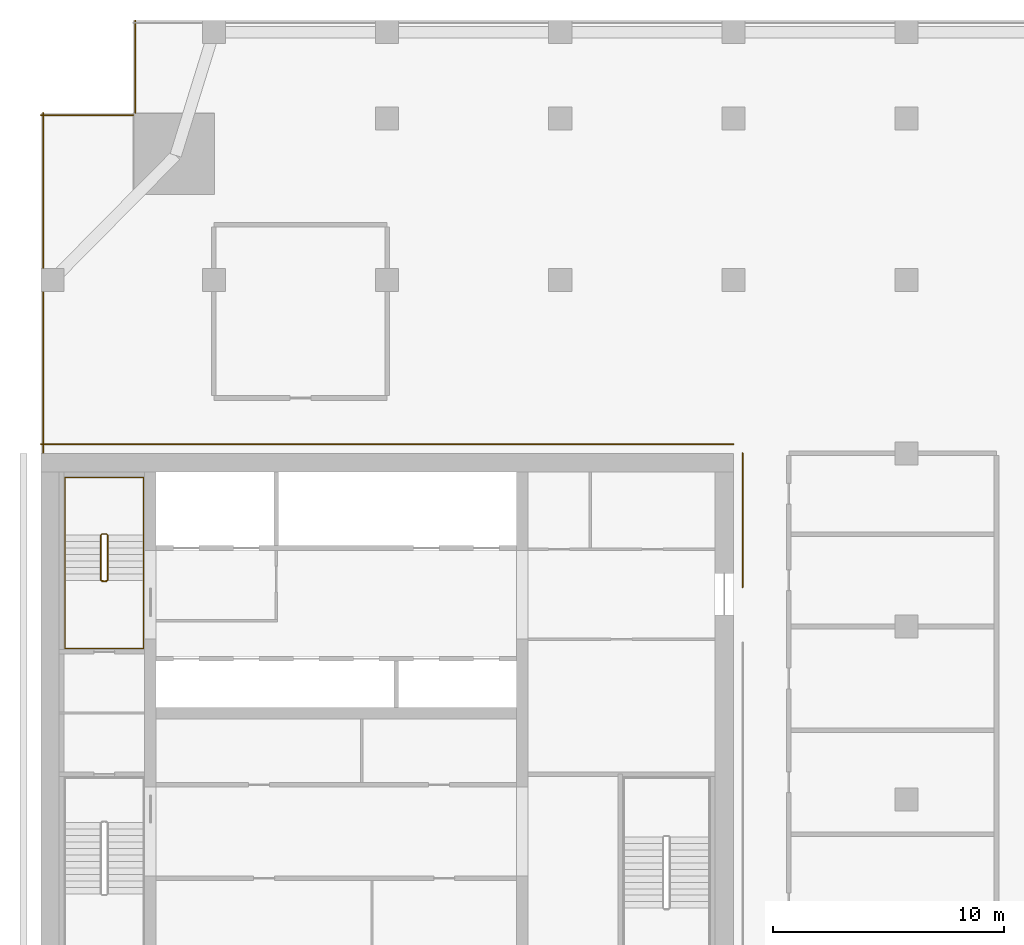
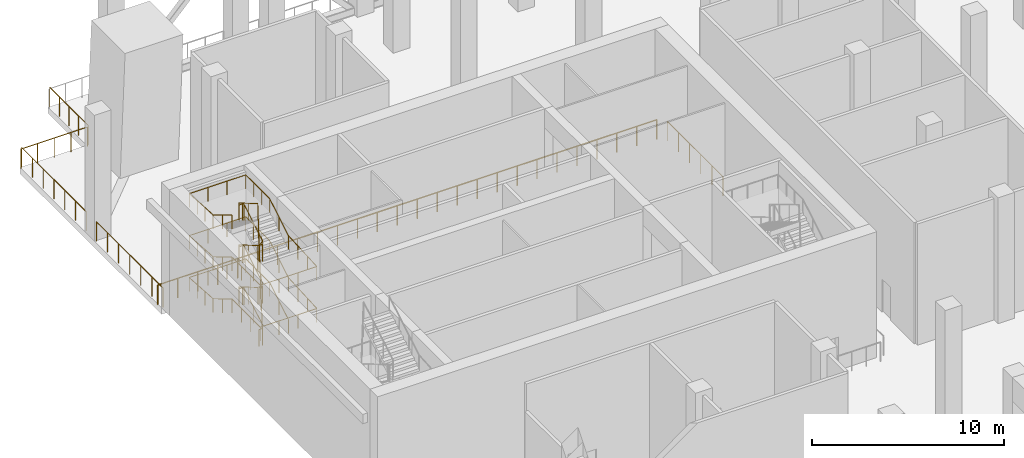
# One storey, part 11 of 12: 8 railings.
"""IFC4 building model written with IfcOpenShell, lengths in metres."""

from ifc_helpers import new_model, si_unit, direction, frame, origin, origin_2d, place, context, subcontext, project, spatial, circle, extrude, material, type_object, element, save


model = new_model("IFC4")

# Units and contexts
model_context = context("Model", 3, precision=1e-05, world=origin(), true_north=direction((0.0, 1.0)))
body_context = subcontext(model_context, "Body", "Model", "MODEL_VIEW")
ifc_project = project(units=[si_unit("LENGTHUNIT", "METRE"), si_unit("AREAUNIT", "SQUARE_METRE"), si_unit("VOLUMEUNIT", "CUBIC_METRE"), si_unit("PLANEANGLEUNIT", "RADIAN"), si_unit("MASSUNIT", "GRAM", prefix="KILO")], contexts=[model_context])

# Site, building, storey
site_placement = place(None, origin())
site = spatial("IfcSite", under=ifc_project, at=site_placement, CompositionType="ELEMENT")
building_placement = place(site_placement, origin())
building = spatial("IfcBuilding", under=site, at=building_placement, Name="Tamorin Gate", CompositionType="ELEMENT")
storey_placement = place(building_placement, frame((0.0, 0.0, 166.199951171875)))
storey = spatial("IfcBuildingStorey", under=building, at=storey_placement, Name="L41", CompositionType="ELEMENT", Elevation=166.199951171875)

# Railings
ifc_material_1 = material(Name="Painted steel balustrade", Category="steel")
railing_type_1 = type_object("IfcRailingType", Name="Stair guard 1100", PredefinedType="GUARDRAIL", material=ifc_material_1)
railing_1_placement = place(storey_placement, frame((32.89990234375, 77.0, 0.166748046875)))
element("IfcRailing", 1, at=railing_1_placement, inside=storey, type_object=railing_type_1, Name="L41 ST2 stair guard 1", PredefinedType="GUARDRAIL", context=body_context, shape_type="SweptSolid", body=[
    extrude(circle(Radius=0.02392578125, at=origin_2d()), frame((0.0, 0.0, 1.076171875), z_axis=(0.0, 0.859272722373, 0.511517730471), x_axis=(-1.0, 0.0, 0.0)), (0.0, 0.0, 1.0), 2.281005859375),
    extrude(circle(Radius=0.02392578125, at=origin_2d()), frame((0.0, 1.9599609375, 2.24267578125), z_axis=(-0.705375805398, 0.708833529934, 0.0), x_axis=(-0.708833529934, -0.705375805398, 0.0)), (0.0, 0.0, 1.0), 0.070556640625),
    extrude(circle(Radius=0.02392578125, at=origin_2d()), frame((-0.0498046875, 2.010009765625, 2.24267578125), z_axis=(-1.0, 0.0, 0.0), x_axis=(0.0, -1.0, 0.0)), (0.0, 0.0, 1.0), 0.2001953125),
    extrude(circle(Radius=0.02392578125, at=origin_2d()), frame((-0.25, 2.010009765625, 2.24267578125), z_axis=(-0.275382897532, -0.276732813696, 0.920642824102), x_axis=(0.708833529934, -0.705375805398, 0.0)), (0.0, 0.0, 1.0), 0.180908203125),
    extrude(circle(Radius=0.02392578125, at=origin_2d()), frame((-0.2998046875, 1.9599609375, 2.4091796875), z_axis=(0.0, -0.859272722373, 0.511517730471), x_axis=(1.0, 0.0, 0.0)), (0.0, 0.0, 1.0), 2.281005859375),
    extrude(circle(Radius=0.02392578125, at=origin_2d()), frame((-0.2998046875, 0.0, 3.576171875), z_axis=(0.98054382908, -0.196300278283, 0.0), x_axis=(0.196300278283, 0.98054382908, 0.0)), (0.0, 0.0, 1.0), 0.2548828125),
    extrude(circle(Radius=0.02392578125, at=origin_2d()), frame((-0.0498046875, -0.050048828125, 3.576171875), z_axis=(-1.0, 0.0, 0.0), x_axis=(0.0, -1.0, 0.0)), (0.0, 0.0, 1.0), 0.2001953125),
    extrude(circle(Radius=0.02392578125, at=origin_2d()), frame((-0.25, -0.050048828125, 3.576171875), z_axis=(0.820621892478, 0.164284656209, 0.547348391174), x_axis=(-0.196300278283, 0.98054382908, 0.0)), (0.0, 0.0, 1.0), 0.3046875),
    extrude(circle(Radius=0.02392578125, at=origin_2d()), frame((0.0, 0.0, 3.74267578125), z_axis=(0.0, 0.85931976652, 0.511438695121), x_axis=(-1.0, 0.0, 0.0)), (0.0, 0.0, 1.0), 2.28076171875),
    extrude(circle(Radius=0.02392578125, at=origin_2d()), frame((0.0, 1.9599609375, 4.9091796875), z_axis=(-0.705375805398, 0.708833529934, 0.0), x_axis=(-0.708833529934, -0.705375805398, 0.0)), (0.0, 0.0, 1.0), 0.070556640625),
    extrude(circle(Radius=0.02392578125, at=origin_2d()), frame((-0.0498046875, 2.010009765625, 4.9091796875), z_axis=(-1.0, 0.0, 0.0), x_axis=(0.0, -1.0, 0.0)), (0.0, 0.0, 1.0), 0.2001953125),
    extrude(circle(Radius=0.02392578125, at=origin_2d()), frame((-0.25, 2.010009765625, 4.9091796875), z_axis=(-0.275041040955, -0.276389281352, 0.920848191041), x_axis=(0.708833529934, -0.705375805398, 0.0)), (0.0, 0.0, 1.0), 0.18115234375),
    extrude(circle(Radius=0.02392578125, at=origin_2d()), frame((-0.2998046875, 1.9599609375, 5.076171875), z_axis=(0.0, -0.859272722373, 0.511517730471), x_axis=(1.0, 0.0, 0.0)), (0.0, 0.0, 1.0), 2.281005859375),
    extrude(circle(Radius=0.02392578125, at=origin_2d()), frame((-0.2998046875, 0.0, 6.24267578125), z_axis=(0.98054382908, -0.196300278283, 0.0), x_axis=(0.196300278283, 0.98054382908, 0.0)), (0.0, 0.0, 1.0), 0.2548828125),
    extrude(circle(Radius=0.02392578125, at=origin_2d()), frame((-0.0498046875, -0.050048828125, 6.24267578125), z_axis=(-1.0, 0.0, 0.0), x_axis=(0.0, -1.0, 0.0)), (0.0, 0.0, 1.0), 0.2001953125),
    extrude(circle(Radius=0.02392578125, at=origin_2d()), frame((-0.25, -0.050048828125, 6.24267578125), z_axis=(0.820981822184, 0.164356712449, 0.546786721416), x_axis=(-0.196300278283, 0.98054382908, 0.0)), (0.0, 0.0, 1.0), 0.304443359375),
    extrude(circle(Radius=0.02392578125, at=origin_2d()), frame((0.0, 0.0, 6.4091796875), z_axis=(0.0, 0.859272722373, 0.511517730471), x_axis=(-1.0, 0.0, 0.0)), (0.0, 0.0, 1.0), 2.281005859375),
    extrude(circle(Radius=0.02392578125, at=origin_2d()), frame((0.0, 1.9599609375, 7.576171875), z_axis=(-0.705375805398, 0.708833529934, 0.0), x_axis=(-0.708833529934, -0.705375805398, 0.0)), (0.0, 0.0, 1.0), 0.070556640625),
    extrude(circle(Radius=0.02392578125, at=origin_2d()), frame((-0.0498046875, 2.010009765625, 7.576171875), z_axis=(-1.0, 0.0, 0.0), x_axis=(0.0, -1.0, 0.0)), (0.0, 0.0, 1.0), 0.2001953125),
    extrude(circle(Radius=0.02392578125, at=origin_2d()), frame((-0.25, 2.010009765625, 7.576171875), z_axis=(-0.275041040955, -0.276389281352, 0.920848191041), x_axis=(0.708833529934, -0.705375805398, 0.0)), (0.0, 0.0, 1.0), 0.18115234375),
    extrude(circle(Radius=0.02392578125, at=origin_2d()), frame((-0.2998046875, 1.9599609375, 7.74267578125), z_axis=(0.0, -0.85931976652, 0.511438695121), x_axis=(1.0, 0.0, 0.0)), (0.0, 0.0, 1.0), 2.28076171875),
    extrude(circle(Radius=0.02392578125, at=origin_2d()), frame((-0.2998046875, 0.0, 8.9091796875), z_axis=(0.031234141746, -0.006252928768, -0.999492535876), x_axis=(0.196300278283, 0.98054382908, 0.0)), (0.0, 0.0, 1.0), 8.004150390625),
    extrude(circle(Radius=0.02392578125, at=origin_2d()), frame((-0.0498046875, -0.050048828125, 0.9091796875), z_axis=(-1.0, 0.0, 0.0), x_axis=(0.0, -1.0, 0.0)), (0.0, 0.0, 1.0), 0.2001953125),
    extrude(circle(Radius=0.02099609375, at=origin_2d()), origin(), (0.0, 0.0, 1.0), 1.052001953125),
    extrude(circle(Radius=0.02099609375, at=origin_2d()), frame((0.0, 0.97998046875, 0.58349609375)), (0.0, 0.0, 1.0), 1.052001953125),
    extrude(circle(Radius=0.02099609375, at=origin_2d()), frame((0.0, 1.9599609375, 1.166748046875)), (0.0, 0.0, 1.0), 1.052001953125),
    extrude(circle(Radius=0.02099609375, at=origin_2d()), frame((-0.0498046875, 2.010009765625, 1.166748046875)), (0.0, 0.0, 1.0), 1.052001953125),
    extrude(circle(Radius=0.02099609375, at=origin_2d()), frame((-0.25, 2.010009765625, 1.166748046875)), (0.0, 0.0, 1.0), 1.052001953125),
    extrude(circle(Radius=0.02099609375, at=origin_2d()), frame((-0.2998046875, 1.9599609375, 1.333251953125)), (0.0, 0.0, 1.0), 1.052001953125),
    extrude(circle(Radius=0.02099609375, at=origin_2d()), frame((-0.2998046875, 0.97998046875, 1.91650390625)), (0.0, 0.0, 1.0), 1.052001953125),
    extrude(circle(Radius=0.02099609375, at=origin_2d()), frame((-0.2998046875, 0.0, 2.5)), (0.0, 0.0, 1.0), 1.052001953125),
    extrude(circle(Radius=0.02099609375, at=origin_2d()), frame((-0.0498046875, -0.050048828125, 2.5)), (0.0, 0.0, 1.0), 1.052001953125),
    extrude(circle(Radius=0.02099609375, at=origin_2d()), frame((-0.25, -0.050048828125, 2.5)), (0.0, 0.0, 1.0), 1.052001953125),
    extrude(circle(Radius=0.02099609375, at=origin_2d()), frame((0.0, 0.0, 2.666748046875)), (0.0, 0.0, 1.0), 1.052001953125),
    extrude(circle(Radius=0.02099609375, at=origin_2d()), frame((0.0, 0.97998046875, 3.25)), (0.0, 0.0, 1.0), 1.052001953125),
    extrude(circle(Radius=0.02099609375, at=origin_2d()), frame((0.0, 1.9599609375, 3.833251953125)), (0.0, 0.0, 1.0), 1.052001953125),
    extrude(circle(Radius=0.02099609375, at=origin_2d()), frame((-0.0498046875, 2.010009765625, 3.833251953125)), (0.0, 0.0, 1.0), 1.052001953125),
    extrude(circle(Radius=0.02099609375, at=origin_2d()), frame((-0.25, 2.010009765625, 3.833251953125)), (0.0, 0.0, 1.0), 1.052001953125),
    extrude(circle(Radius=0.02099609375, at=origin_2d()), frame((-0.2998046875, 1.9599609375, 4.0)), (0.0, 0.0, 1.0), 1.052001953125),
    extrude(circle(Radius=0.02099609375, at=origin_2d()), frame((-0.2998046875, 0.97998046875, 4.58349609375)), (0.0, 0.0, 1.0), 1.052001953125),
    extrude(circle(Radius=0.02099609375, at=origin_2d()), frame((-0.2998046875, 0.0, 5.166748046875)), (0.0, 0.0, 1.0), 1.052001953125),
    extrude(circle(Radius=0.02099609375, at=origin_2d()), frame((-0.0498046875, -0.050048828125, 5.166748046875)), (0.0, 0.0, 1.0), 1.052001953125),
    extrude(circle(Radius=0.02099609375, at=origin_2d()), frame((-0.25, -0.050048828125, 5.166748046875)), (0.0, 0.0, 1.0), 1.052001953125),
    extrude(circle(Radius=0.02099609375, at=origin_2d()), frame((0.0, 0.0, 5.333251953125)), (0.0, 0.0, 1.0), 1.052001953125),
    extrude(circle(Radius=0.02099609375, at=origin_2d()), frame((0.0, 0.97998046875, 5.91650390625)), (0.0, 0.0, 1.0), 1.052001953125),
    extrude(circle(Radius=0.02099609375, at=origin_2d()), frame((0.0, 1.9599609375, 6.5)), (0.0, 0.0, 1.0), 1.052001953125),
    extrude(circle(Radius=0.02099609375, at=origin_2d()), frame((-0.0498046875, 2.010009765625, 6.5)), (0.0, 0.0, 1.0), 1.052001953125),
    extrude(circle(Radius=0.02099609375, at=origin_2d()), frame((-0.25, 2.010009765625, 6.5)), (0.0, 0.0, 1.0), 1.052001953125),
    extrude(circle(Radius=0.02099609375, at=origin_2d()), frame((-0.2998046875, 1.9599609375, 6.666748046875)), (0.0, 0.0, 1.0), 1.052001953125),
    extrude(circle(Radius=0.02099609375, at=origin_2d()), frame((-0.2998046875, 0.97998046875, 7.25)), (0.0, 0.0, 1.0), 1.052001953125),
    extrude(circle(Radius=0.02099609375, at=origin_2d()), frame((-0.2998046875, 0.0, 7.833251953125)), (0.0, 0.0, 1.0), 1.052001953125),
    extrude(circle(Radius=0.02099609375, at=origin_2d()), frame((-0.26416015625, -0.007080078125, 6.6904296875)), (0.0, 0.0, 1.0), 1.052001953125),
    extrude(circle(Radius=0.02099609375, at=origin_2d()), frame((-0.228271484375, -0.014404296875, 5.547607421875)), (0.0, 0.0, 1.0), 1.052001953125),
    extrude(circle(Radius=0.02099609375, at=origin_2d()), frame((-0.192626953125, -0.021484375, 4.40478515625)), (0.0, 0.0, 1.0), 1.052001953125),
    extrude(circle(Radius=0.02099609375, at=origin_2d()), frame((-0.156982421875, -0.028564453125, 3.26171875)), (0.0, 0.0, 1.0), 1.052001953125),
    extrude(circle(Radius=0.02099609375, at=origin_2d()), frame((-0.121337890625, -0.03564453125, 2.118896484375)), (0.0, 0.0, 1.0), 1.052001953125),
    extrude(circle(Radius=0.02099609375, at=origin_2d()), frame((-0.08544921875, -0.04296875, 0.97607421875)), (0.0, 0.0, 1.0), 1.052001953125),
    extrude(circle(Radius=0.02099609375, at=origin_2d()), frame((-0.0498046875, -0.050048828125, -0.166748046875)), (0.0, 0.0, 1.0), 1.052001953125),
    extrude(circle(Radius=0.02099609375, at=origin_2d()), frame((-0.25, -0.050048828125, -0.166748046875)), (0.0, 0.0, 1.0), 1.052001953125),
])
ifc_material_2 = material(Name="Painted steel handrail", Category="steel")
railing_type_2 = type_object("IfcRailingType", Name="Stair handrail 900", PredefinedType="HANDRAIL", material=ifc_material_2)
railing_2_placement = place(storey_placement, frame((34.449951171875, 77.0, 0.166748046875)))
element("IfcRailing", 2, at=railing_2_placement, inside=storey, type_object=railing_type_2, Name="L41 ST2 stair handrail 1", PredefinedType="HANDRAIL", context=body_context, shape_type="SweptSolid", body=[
    extrude(circle(Radius=0.02392578125, at=origin_2d()), frame((0.0, 0.0, 0.8759765625), z_axis=(0.0, 0.859272722373, 0.511517730471), x_axis=(-1.0, 0.0, 0.0)), (0.0, 0.0, 1.0), 2.281005859375),
    extrude(circle(Radius=0.02392578125, at=origin_2d()), frame((0.0, 1.9599609375, 2.04248046875), z_axis=(0.0, 1.0, 0.0), x_axis=(-1.0, 0.0, 0.0)), (0.0, 0.0, 1.0), 2.489990234375),
    extrude(circle(Radius=0.02392578125, at=origin_2d()), frame((0.0, 4.449951171875, 2.04248046875), z_axis=(-1.0, 0.0, 0.0), x_axis=(0.0, -1.0, 0.0)), (0.0, 0.0, 1.0), 3.39990234375),
    extrude(circle(Radius=0.02392578125, at=origin_2d()), frame((-3.39990234375, 4.449951171875, 2.04248046875), z_axis=(0.0, -0.997771718346, 0.066720297275), x_axis=(1.0, 0.0, 0.0)), (0.0, 0.0, 1.0), 2.49560546875),
    extrude(circle(Radius=0.02392578125, at=origin_2d()), frame((-3.39990234375, 1.9599609375, 2.208984375), z_axis=(0.0, -0.859272722373, 0.511517730471), x_axis=(1.0, 0.0, 0.0)), (0.0, 0.0, 1.0), 2.281005859375),
    extrude(circle(Radius=0.02392578125, at=origin_2d()), frame((-3.39990234375, 0.0, 3.3759765625), z_axis=(0.0, -1.0, 0.0), x_axis=(1.0, 0.0, 0.0)), (0.0, 0.0, 1.0), 2.949951171875),
    extrude(circle(Radius=0.02392578125, at=origin_2d()), frame((-3.39990234375, -2.949951171875, 3.3759765625), z_axis=(1.0, 0.0, 0.0), x_axis=(0.0, 1.0, 0.0)), (0.0, 0.0, 1.0), 3.39990234375),
    extrude(circle(Radius=0.02392578125, at=origin_2d()), frame((0.0, -2.949951171875, 3.3759765625), z_axis=(0.0, 0.998406240989, 0.056435608921), x_axis=(-1.0, 0.0, 0.0)), (0.0, 0.0, 1.0), 2.95458984375),
    extrude(circle(Radius=0.02392578125, at=origin_2d()), frame((0.0, 0.0, 3.54248046875), z_axis=(0.0, 0.85931976652, 0.511438695121), x_axis=(-1.0, 0.0, 0.0)), (0.0, 0.0, 1.0), 2.28076171875),
    extrude(circle(Radius=0.02392578125, at=origin_2d()), frame((0.0, 1.9599609375, 4.708984375), z_axis=(0.0, 1.0, 0.0), x_axis=(-1.0, 0.0, 0.0)), (0.0, 0.0, 1.0), 2.489990234375),
    extrude(circle(Radius=0.02392578125, at=origin_2d()), frame((0.0, 4.449951171875, 4.708984375), z_axis=(-1.0, 0.0, 0.0), x_axis=(0.0, -1.0, 0.0)), (0.0, 0.0, 1.0), 3.39990234375),
    extrude(circle(Radius=0.02392578125, at=origin_2d()), frame((-3.39990234375, 4.449951171875, 4.708984375), z_axis=(0.0, -0.99776520091, 0.066817691168), x_axis=(1.0, 0.0, 0.0)), (0.0, 0.0, 1.0), 2.49560546875),
    extrude(circle(Radius=0.02392578125, at=origin_2d()), frame((-3.39990234375, 1.9599609375, 4.8759765625), z_axis=(0.0, -0.859272722373, 0.511517730471), x_axis=(1.0, 0.0, 0.0)), (0.0, 0.0, 1.0), 2.281005859375),
    extrude(circle(Radius=0.02392578125, at=origin_2d()), frame((-3.39990234375, 0.0, 6.04248046875), z_axis=(0.0, -1.0, 0.0), x_axis=(1.0, 0.0, 0.0)), (0.0, 0.0, 1.0), 2.949951171875),
    extrude(circle(Radius=0.02392578125, at=origin_2d()), frame((-3.39990234375, -2.949951171875, 6.04248046875), z_axis=(1.0, 0.0, 0.0), x_axis=(0.0, 1.0, 0.0)), (0.0, 0.0, 1.0), 3.39990234375),
    extrude(circle(Radius=0.02392578125, at=origin_2d()), frame((0.0, -2.949951171875, 6.04248046875), z_axis=(0.0, 0.998410893399, 0.056353242514), x_axis=(-1.0, 0.0, 0.0)), (0.0, 0.0, 1.0), 2.95458984375),
    extrude(circle(Radius=0.02392578125, at=origin_2d()), frame((0.0, 0.0, 6.208984375), z_axis=(0.0, 0.859272722373, 0.511517730471), x_axis=(-1.0, 0.0, 0.0)), (0.0, 0.0, 1.0), 2.281005859375),
    extrude(circle(Radius=0.02392578125, at=origin_2d()), frame((0.0, 1.9599609375, 7.3759765625), z_axis=(0.0, 1.0, 0.0), x_axis=(-1.0, 0.0, 0.0)), (0.0, 0.0, 1.0), 2.489990234375),
    extrude(circle(Radius=0.02392578125, at=origin_2d()), frame((0.0, 4.449951171875, 7.3759765625), z_axis=(-1.0, 0.0, 0.0), x_axis=(0.0, -1.0, 0.0)), (0.0, 0.0, 1.0), 3.39990234375),
    extrude(circle(Radius=0.02392578125, at=origin_2d()), frame((-3.39990234375, 4.449951171875, 7.3759765625), z_axis=(0.0, -0.99776520091, 0.066817691168), x_axis=(1.0, 0.0, 0.0)), (0.0, 0.0, 1.0), 2.49560546875),
    extrude(circle(Radius=0.02392578125, at=origin_2d()), frame((-3.39990234375, 1.9599609375, 7.54248046875), z_axis=(0.0, -0.85931976652, 0.511438695121), x_axis=(1.0, 0.0, 0.0)), (0.0, 0.0, 1.0), 2.28076171875),
    extrude(circle(Radius=0.02099609375, at=origin_2d()), origin(), (0.0, 0.0, 1.0), 0.851806640625),
    extrude(circle(Radius=0.02099609375, at=origin_2d()), frame((0.0, 0.97998046875, 0.58349609375)), (0.0, 0.0, 1.0), 0.851806640625),
    extrude(circle(Radius=0.02099609375, at=origin_2d()), frame((0.0, 1.9599609375, 1.166748046875)), (0.0, 0.0, 1.0), 0.851806640625),
    extrude(circle(Radius=0.02099609375, at=origin_2d()), frame((0.0, 2.7900390625, 1.166748046875)), (0.0, 0.0, 1.0), 0.851806640625),
    extrude(circle(Radius=0.02099609375, at=origin_2d()), frame((0.0, 3.619873046875, 1.166748046875)), (0.0, 0.0, 1.0), 0.851806640625),
    extrude(circle(Radius=0.02099609375, at=origin_2d()), frame((0.0, 4.449951171875, 1.166748046875)), (0.0, 0.0, 1.0), 0.851806640625),
    extrude(circle(Radius=0.02099609375, at=origin_2d()), frame((-1.13330078125, 4.449951171875, 1.166748046875)), (0.0, 0.0, 1.0), 0.851806640625),
    extrude(circle(Radius=0.02099609375, at=origin_2d()), frame((-2.2666015625, 4.449951171875, 1.166748046875)), (0.0, 0.0, 1.0), 0.851806640625),
    extrude(circle(Radius=0.02099609375, at=origin_2d()), frame((-3.39990234375, 4.449951171875, 1.166748046875)), (0.0, 0.0, 1.0), 0.851806640625),
    extrude(circle(Radius=0.02099609375, at=origin_2d()), frame((-3.39990234375, 3.619873046875, 1.22216796875)), (0.0, 0.0, 1.0), 0.851806640625),
    extrude(circle(Radius=0.02099609375, at=origin_2d()), frame((-3.39990234375, 2.7900390625, 1.27783203125)), (0.0, 0.0, 1.0), 0.851806640625),
    extrude(circle(Radius=0.02099609375, at=origin_2d()), frame((-3.39990234375, 1.9599609375, 1.333251953125)), (0.0, 0.0, 1.0), 0.851806640625),
    extrude(circle(Radius=0.02099609375, at=origin_2d()), frame((-3.39990234375, 0.97998046875, 1.91650390625)), (0.0, 0.0, 1.0), 0.851806640625),
    extrude(circle(Radius=0.02099609375, at=origin_2d()), frame((-3.39990234375, 0.0, 2.5)), (0.0, 0.0, 1.0), 0.851806640625),
    extrude(circle(Radius=0.02099609375, at=origin_2d()), frame((-3.39990234375, -0.9833984375, 2.5)), (0.0, 0.0, 1.0), 0.851806640625),
    extrude(circle(Radius=0.02099609375, at=origin_2d()), frame((-3.39990234375, -1.966552734375, 2.5)), (0.0, 0.0, 1.0), 0.851806640625),
    extrude(circle(Radius=0.02099609375, at=origin_2d()), frame((-3.39990234375, -2.949951171875, 2.5)), (0.0, 0.0, 1.0), 0.851806640625),
    extrude(circle(Radius=0.02099609375, at=origin_2d()), frame((-2.2666015625, -2.949951171875, 2.5)), (0.0, 0.0, 1.0), 0.851806640625),
    extrude(circle(Radius=0.02099609375, at=origin_2d()), frame((-1.13330078125, -2.949951171875, 2.5)), (0.0, 0.0, 1.0), 0.851806640625),
    extrude(circle(Radius=0.02099609375, at=origin_2d()), frame((0.0, -2.949951171875, 2.5)), (0.0, 0.0, 1.0), 0.851806640625),
    extrude(circle(Radius=0.02099609375, at=origin_2d()), frame((0.0, -1.966552734375, 2.5556640625)), (0.0, 0.0, 1.0), 0.851806640625),
    extrude(circle(Radius=0.02099609375, at=origin_2d()), frame((0.0, -0.9833984375, 2.611083984375)), (0.0, 0.0, 1.0), 0.851806640625),
    extrude(circle(Radius=0.02099609375, at=origin_2d()), frame((0.0, 0.0, 2.666748046875)), (0.0, 0.0, 1.0), 0.851806640625),
    extrude(circle(Radius=0.02099609375, at=origin_2d()), frame((0.0, 0.97998046875, 3.25)), (0.0, 0.0, 1.0), 0.851806640625),
    extrude(circle(Radius=0.02099609375, at=origin_2d()), frame((0.0, 1.9599609375, 3.833251953125)), (0.0, 0.0, 1.0), 0.851806640625),
    extrude(circle(Radius=0.02099609375, at=origin_2d()), frame((0.0, 2.7900390625, 3.833251953125)), (0.0, 0.0, 1.0), 0.851806640625),
    extrude(circle(Radius=0.02099609375, at=origin_2d()), frame((0.0, 3.619873046875, 3.833251953125)), (0.0, 0.0, 1.0), 0.851806640625),
    extrude(circle(Radius=0.02099609375, at=origin_2d()), frame((0.0, 4.449951171875, 3.833251953125)), (0.0, 0.0, 1.0), 0.851806640625),
    extrude(circle(Radius=0.02099609375, at=origin_2d()), frame((-1.13330078125, 4.449951171875, 3.833251953125)), (0.0, 0.0, 1.0), 0.851806640625),
    extrude(circle(Radius=0.02099609375, at=origin_2d()), frame((-2.2666015625, 4.449951171875, 3.833251953125)), (0.0, 0.0, 1.0), 0.851806640625),
    extrude(circle(Radius=0.02099609375, at=origin_2d()), frame((-3.39990234375, 4.449951171875, 3.833251953125)), (0.0, 0.0, 1.0), 0.851806640625),
    extrude(circle(Radius=0.02099609375, at=origin_2d()), frame((-3.39990234375, 3.619873046875, 3.888916015625)), (0.0, 0.0, 1.0), 0.851806640625),
    extrude(circle(Radius=0.02099609375, at=origin_2d()), frame((-3.39990234375, 2.7900390625, 3.9443359375)), (0.0, 0.0, 1.0), 0.851806640625),
    extrude(circle(Radius=0.02099609375, at=origin_2d()), frame((-3.39990234375, 1.9599609375, 4.0)), (0.0, 0.0, 1.0), 0.851806640625),
    extrude(circle(Radius=0.02099609375, at=origin_2d()), frame((-3.39990234375, 0.97998046875, 4.58349609375)), (0.0, 0.0, 1.0), 0.851806640625),
    extrude(circle(Radius=0.02099609375, at=origin_2d()), frame((-3.39990234375, 0.0, 5.166748046875)), (0.0, 0.0, 1.0), 0.851806640625),
    extrude(circle(Radius=0.02099609375, at=origin_2d()), frame((-3.39990234375, -0.9833984375, 5.166748046875)), (0.0, 0.0, 1.0), 0.851806640625),
    extrude(circle(Radius=0.02099609375, at=origin_2d()), frame((-3.39990234375, -1.966552734375, 5.166748046875)), (0.0, 0.0, 1.0), 0.851806640625),
    extrude(circle(Radius=0.02099609375, at=origin_2d()), frame((-3.39990234375, -2.949951171875, 5.166748046875)), (0.0, 0.0, 1.0), 0.851806640625),
    extrude(circle(Radius=0.02099609375, at=origin_2d()), frame((-2.2666015625, -2.949951171875, 5.166748046875)), (0.0, 0.0, 1.0), 0.851806640625),
    extrude(circle(Radius=0.02099609375, at=origin_2d()), frame((-1.13330078125, -2.949951171875, 5.166748046875)), (0.0, 0.0, 1.0), 0.851806640625),
    extrude(circle(Radius=0.02099609375, at=origin_2d()), frame((0.0, -2.949951171875, 5.166748046875)), (0.0, 0.0, 1.0), 0.851806640625),
    extrude(circle(Radius=0.02099609375, at=origin_2d()), frame((0.0, -1.966552734375, 5.22216796875)), (0.0, 0.0, 1.0), 0.851806640625),
    extrude(circle(Radius=0.02099609375, at=origin_2d()), frame((0.0, -0.9833984375, 5.27783203125)), (0.0, 0.0, 1.0), 0.851806640625),
    extrude(circle(Radius=0.02099609375, at=origin_2d()), frame((0.0, 0.0, 5.333251953125)), (0.0, 0.0, 1.0), 0.851806640625),
    extrude(circle(Radius=0.02099609375, at=origin_2d()), frame((0.0, 0.97998046875, 5.91650390625)), (0.0, 0.0, 1.0), 0.851806640625),
    extrude(circle(Radius=0.02099609375, at=origin_2d()), frame((0.0, 1.9599609375, 6.5)), (0.0, 0.0, 1.0), 0.851806640625),
    extrude(circle(Radius=0.02099609375, at=origin_2d()), frame((0.0, 2.7900390625, 6.5)), (0.0, 0.0, 1.0), 0.851806640625),
    extrude(circle(Radius=0.02099609375, at=origin_2d()), frame((0.0, 3.619873046875, 6.5)), (0.0, 0.0, 1.0), 0.851806640625),
    extrude(circle(Radius=0.02099609375, at=origin_2d()), frame((0.0, 4.449951171875, 6.5)), (0.0, 0.0, 1.0), 0.851806640625),
    extrude(circle(Radius=0.02099609375, at=origin_2d()), frame((-1.13330078125, 4.449951171875, 6.5)), (0.0, 0.0, 1.0), 0.851806640625),
    extrude(circle(Radius=0.02099609375, at=origin_2d()), frame((-2.2666015625, 4.449951171875, 6.5)), (0.0, 0.0, 1.0), 0.851806640625),
    extrude(circle(Radius=0.02099609375, at=origin_2d()), frame((-3.39990234375, 4.449951171875, 6.5)), (0.0, 0.0, 1.0), 0.851806640625),
    extrude(circle(Radius=0.02099609375, at=origin_2d()), frame((-3.39990234375, 3.619873046875, 6.5556640625)), (0.0, 0.0, 1.0), 0.851806640625),
    extrude(circle(Radius=0.02099609375, at=origin_2d()), frame((-3.39990234375, 2.7900390625, 6.611083984375)), (0.0, 0.0, 1.0), 0.851806640625),
    extrude(circle(Radius=0.02099609375, at=origin_2d()), frame((-3.39990234375, 1.9599609375, 6.666748046875)), (0.0, 0.0, 1.0), 0.851806640625),
    extrude(circle(Radius=0.02099609375, at=origin_2d()), frame((-3.39990234375, 0.97998046875, 7.25)), (0.0, 0.0, 1.0), 0.851806640625),
    extrude(circle(Radius=0.02099609375, at=origin_2d()), frame((-3.39990234375, 0.0, 7.833251953125)), (0.0, 0.0, 1.0), 0.851806640625),
])
ifc_material_3 = material(Name="Stainless steel", Category="steel")
railing_type_3 = type_object("IfcRailingType", Name="Wind floor guard 1250", PredefinedType="GUARDRAIL", material=ifc_material_3)
railing_3_placement = place(storey_placement, frame((34.10009765625, 101.25, 0.0)))
element("IfcRailing", 3, at=railing_3_placement, inside=storey, type_object=railing_type_3, Name="Open edge guard", PredefinedType="GUARDRAIL", context=body_context, shape_type="SweptSolid", body=[
    extrude(circle(Radius=0.02392578125, at=origin_2d()), frame((0.0, 0.0, 1.22607421875), z_axis=(0.0, -1.0, 0.0), x_axis=(1.0, 0.0, 0.0)), (0.0, 0.0, 1.0), 4.0),
    extrude(circle(Radius=0.02099609375, at=origin_2d()), origin(), (0.0, 0.0, 1.0), 1.201904296875),
    extrude(circle(Radius=0.02099609375, at=origin_2d()), frame((0.0, -1.0, 0.0)), (0.0, 0.0, 1.0), 1.201904296875),
    extrude(circle(Radius=0.02099609375, at=origin_2d()), frame((0.0, -2.0, 0.0)), (0.0, 0.0, 1.0), 1.201904296875),
    extrude(circle(Radius=0.02099609375, at=origin_2d()), frame((0.0, -3.0, 0.0)), (0.0, 0.0, 1.0), 1.201904296875),
    extrude(circle(Radius=0.02099609375, at=origin_2d()), frame((0.0, -4.0, 0.0)), (0.0, 0.0, 1.0), 1.201904296875),
])
railing_4_placement = place(storey_placement, frame((34.0, 97.14990234375, 0.0)))
element("IfcRailing", 4, at=railing_4_placement, inside=storey, type_object=railing_type_3, Name="Open edge guard", PredefinedType="GUARDRAIL", context=body_context, shape_type="SweptSolid", body=[
    extrude(circle(Radius=0.02392578125, at=origin_2d()), frame((0.0, 0.0, 1.22607421875), z_axis=(-1.0, 0.0, 0.0), x_axis=(0.0, -1.0, 0.0)), (0.0, 0.0, 1.0), 4.0),
    extrude(circle(Radius=0.02099609375, at=origin_2d()), origin(), (0.0, 0.0, 1.0), 1.201904296875),
    extrude(circle(Radius=0.02099609375, at=origin_2d()), frame((-1.0, 0.0, 0.0)), (0.0, 0.0, 1.0), 1.201904296875),
    extrude(circle(Radius=0.02099609375, at=origin_2d()), frame((-2.0, 0.0, 0.0)), (0.0, 0.0, 1.0), 1.201904296875),
    extrude(circle(Radius=0.02099609375, at=origin_2d()), frame((-3.0, 0.0, 0.0)), (0.0, 0.0, 1.0), 1.201904296875),
    extrude(circle(Radius=0.02099609375, at=origin_2d()), frame((-4.0, 0.0, 0.0)), (0.0, 0.0, 1.0), 1.201904296875),
])
railing_5_placement = place(storey_placement, frame((30.10009765625, 97.25, 0.0)))
element("IfcRailing", 5, at=railing_5_placement, inside=storey, type_object=railing_type_3, Name="Open edge guard", PredefinedType="GUARDRAIL", context=body_context, shape_type="SweptSolid", body=[
    extrude(circle(Radius=0.02392578125, at=origin_2d()), frame((0.0, 0.0, 1.22607421875), z_axis=(0.0, -1.0, 0.0), x_axis=(1.0, 0.0, 0.0)), (0.0, 0.0, 1.0), 6.719970703125),
    extrude(circle(Radius=0.02099609375, at=origin_2d()), origin(), (0.0, 0.0, 1.0), 1.201904296875),
    extrude(circle(Radius=0.02099609375, at=origin_2d()), frame((0.0, -1.1201171875, 0.0)), (0.0, 0.0, 1.0), 1.201904296875),
    extrude(circle(Radius=0.02099609375, at=origin_2d()), frame((0.0, -2.239990234375, 0.0)), (0.0, 0.0, 1.0), 1.201904296875),
    extrude(circle(Radius=0.02099609375, at=origin_2d()), frame((0.0, -3.35986328125, 0.0)), (0.0, 0.0, 1.0), 1.201904296875),
    extrude(circle(Radius=0.02099609375, at=origin_2d()), frame((0.0, -4.47998046875, 0.0)), (0.0, 0.0, 1.0), 1.201904296875),
    extrude(circle(Radius=0.02099609375, at=origin_2d()), frame((0.0, -5.60009765625, 0.0)), (0.0, 0.0, 1.0), 1.201904296875),
    extrude(circle(Radius=0.02099609375, at=origin_2d()), frame((0.0, -6.719970703125, 0.0)), (0.0, 0.0, 1.0), 1.201904296875),
])
railing_6_placement = place(storey_placement, frame((30.10009765625, 89.469970703125, 0.0)))
element("IfcRailing", 6, at=railing_6_placement, inside=storey, type_object=railing_type_3, Name="Open edge guard", PredefinedType="GUARDRAIL", context=body_context, shape_type="SweptSolid", body=[
    extrude(circle(Radius=0.02392578125, at=origin_2d()), frame((0.0, 0.0, 1.22607421875), z_axis=(0.0, -1.0, 0.0), x_axis=(1.0, 0.0, 0.0)), (0.0, 0.0, 1.0), 6.93994140625),
    extrude(circle(Radius=0.02099609375, at=origin_2d()), origin(), (0.0, 0.0, 1.0), 1.201904296875),
    extrude(circle(Radius=0.02099609375, at=origin_2d()), frame((0.0, -1.15673828125, 0.0)), (0.0, 0.0, 1.0), 1.201904296875),
    extrude(circle(Radius=0.02099609375, at=origin_2d()), frame((0.0, -2.313232421875, 0.0)), (0.0, 0.0, 1.0), 1.201904296875),
    extrude(circle(Radius=0.02099609375, at=origin_2d()), frame((0.0, -3.469970703125, 0.0)), (0.0, 0.0, 1.0), 1.201904296875),
    extrude(circle(Radius=0.02099609375, at=origin_2d()), frame((0.0, -4.626708984375, 0.0)), (0.0, 0.0, 1.0), 1.201904296875),
    extrude(circle(Radius=0.02099609375, at=origin_2d()), frame((0.0, -5.783203125, 0.0)), (0.0, 0.0, 1.0), 1.201904296875),
    extrude(circle(Radius=0.02099609375, at=origin_2d()), frame((0.0, -6.93994140625, 0.0)), (0.0, 0.0, 1.0), 1.201904296875),
])
railing_7_placement = place(storey_placement, frame((60.39990234375, 76.699951171875, 0.0)))
element("IfcRailing", 7, at=railing_7_placement, inside=storey, type_object=railing_type_3, Name="Open edge guard core", PredefinedType="GUARDRAIL", context=body_context, shape_type="SweptSolid", body=[
    extrude(circle(Radius=0.02392578125, at=origin_2d()), frame((0.0, 0.0, 1.22607421875), z_axis=(0.0, 1.0, 0.0), x_axis=(-1.0, 0.0, 0.0)), (0.0, 0.0, 1.0), 5.800048828125),
    extrude(circle(Radius=0.02099609375, at=origin_2d()), origin(), (0.0, 0.0, 1.0), 1.201904296875),
    extrude(circle(Radius=0.02099609375, at=origin_2d()), frame((0.0, 1.159912109375, 0.0)), (0.0, 0.0, 1.0), 1.201904296875),
    extrude(circle(Radius=0.02099609375, at=origin_2d()), frame((0.0, 2.320068359375, 0.0)), (0.0, 0.0, 1.0), 1.201904296875),
    extrude(circle(Radius=0.02099609375, at=origin_2d()), frame((0.0, 3.47998046875, 0.0)), (0.0, 0.0, 1.0), 1.201904296875),
    extrude(circle(Radius=0.02099609375, at=origin_2d()), frame((0.0, 4.64013671875, 0.0)), (0.0, 0.0, 1.0), 1.201904296875),
    extrude(circle(Radius=0.02099609375, at=origin_2d()), frame((0.0, 5.800048828125, 0.0)), (0.0, 0.0, 1.0), 1.201904296875),
])
railing_8_placement = place(storey_placement, frame((30.0, 82.89990234375, 0.0)))
element("IfcRailing", 8, at=railing_8_placement, inside=storey, type_object=railing_type_3, Name="Open edge guard core", PredefinedType="GUARDRAIL", context=body_context, shape_type="SweptSolid", body=[
    extrude(circle(Radius=0.02392578125, at=origin_2d()), frame((0.0, 0.0, 1.22607421875), z_axis=(1.0, 0.0, 0.0), x_axis=(0.0, 1.0, 0.0)), (0.0, 0.0, 1.0), 30.0),
    extrude(circle(Radius=0.02099609375, at=origin_2d()), origin(), (0.0, 0.0, 1.0), 1.201904296875),
    extrude(circle(Radius=0.02099609375, at=origin_2d()), frame((1.199951171875, 0.0, 0.0)), (0.0, 0.0, 1.0), 1.201904296875),
    extrude(circle(Radius=0.02099609375, at=origin_2d()), frame((2.39990234375, 0.0, 0.0)), (0.0, 0.0, 1.0), 1.201904296875),
    extrude(circle(Radius=0.02099609375, at=origin_2d()), frame((3.60009765625, 0.0, 0.0)), (0.0, 0.0, 1.0), 1.201904296875),
    extrude(circle(Radius=0.02099609375, at=origin_2d()), frame((4.800048828125, 0.0, 0.0)), (0.0, 0.0, 1.0), 1.201904296875),
    extrude(circle(Radius=0.02099609375, at=origin_2d()), frame((6.0, 0.0, 0.0)), (0.0, 0.0, 1.0), 1.201904296875),
    extrude(circle(Radius=0.02099609375, at=origin_2d()), frame((7.199951171875, 0.0, 0.0)), (0.0, 0.0, 1.0), 1.201904296875),
    extrude(circle(Radius=0.02099609375, at=origin_2d()), frame((8.39990234375, 0.0, 0.0)), (0.0, 0.0, 1.0), 1.201904296875),
    extrude(circle(Radius=0.02099609375, at=origin_2d()), frame((9.60009765625, 0.0, 0.0)), (0.0, 0.0, 1.0), 1.201904296875),
    extrude(circle(Radius=0.02099609375, at=origin_2d()), frame((10.800048828125, 0.0, 0.0)), (0.0, 0.0, 1.0), 1.201904296875),
    extrude(circle(Radius=0.02099609375, at=origin_2d()), frame((12.0, 0.0, 0.0)), (0.0, 0.0, 1.0), 1.201904296875),
    extrude(circle(Radius=0.02099609375, at=origin_2d()), frame((13.199951171875, 0.0, 0.0)), (0.0, 0.0, 1.0), 1.201904296875),
    extrude(circle(Radius=0.02099609375, at=origin_2d()), frame((14.39990234375, 0.0, 0.0)), (0.0, 0.0, 1.0), 1.201904296875),
    extrude(circle(Radius=0.02099609375, at=origin_2d()), frame((15.60009765625, 0.0, 0.0)), (0.0, 0.0, 1.0), 1.201904296875),
    extrude(circle(Radius=0.02099609375, at=origin_2d()), frame((16.800048828125, 0.0, 0.0)), (0.0, 0.0, 1.0), 1.201904296875),
    extrude(circle(Radius=0.02099609375, at=origin_2d()), frame((18.0, 0.0, 0.0)), (0.0, 0.0, 1.0), 1.201904296875),
    extrude(circle(Radius=0.02099609375, at=origin_2d()), frame((19.199951171875, 0.0, 0.0)), (0.0, 0.0, 1.0), 1.201904296875),
    extrude(circle(Radius=0.02099609375, at=origin_2d()), frame((20.39990234375, 0.0, 0.0)), (0.0, 0.0, 1.0), 1.201904296875),
    extrude(circle(Radius=0.02099609375, at=origin_2d()), frame((21.60009765625, 0.0, 0.0)), (0.0, 0.0, 1.0), 1.201904296875),
    extrude(circle(Radius=0.02099609375, at=origin_2d()), frame((22.800048828125, 0.0, 0.0)), (0.0, 0.0, 1.0), 1.201904296875),
    extrude(circle(Radius=0.02099609375, at=origin_2d()), frame((24.0, 0.0, 0.0)), (0.0, 0.0, 1.0), 1.201904296875),
    extrude(circle(Radius=0.02099609375, at=origin_2d()), frame((25.199951171875, 0.0, 0.0)), (0.0, 0.0, 1.0), 1.201904296875),
    extrude(circle(Radius=0.02099609375, at=origin_2d()), frame((26.39990234375, 0.0, 0.0)), (0.0, 0.0, 1.0), 1.201904296875),
    extrude(circle(Radius=0.02099609375, at=origin_2d()), frame((27.60009765625, 0.0, 0.0)), (0.0, 0.0, 1.0), 1.201904296875),
    extrude(circle(Radius=0.02099609375, at=origin_2d()), frame((28.800048828125, 0.0, 0.0)), (0.0, 0.0, 1.0), 1.201904296875),
    extrude(circle(Radius=0.02099609375, at=origin_2d()), frame((30.0, 0.0, 0.0)), (0.0, 0.0, 1.0), 1.201904296875),
])

save(model, "model.ifc")
